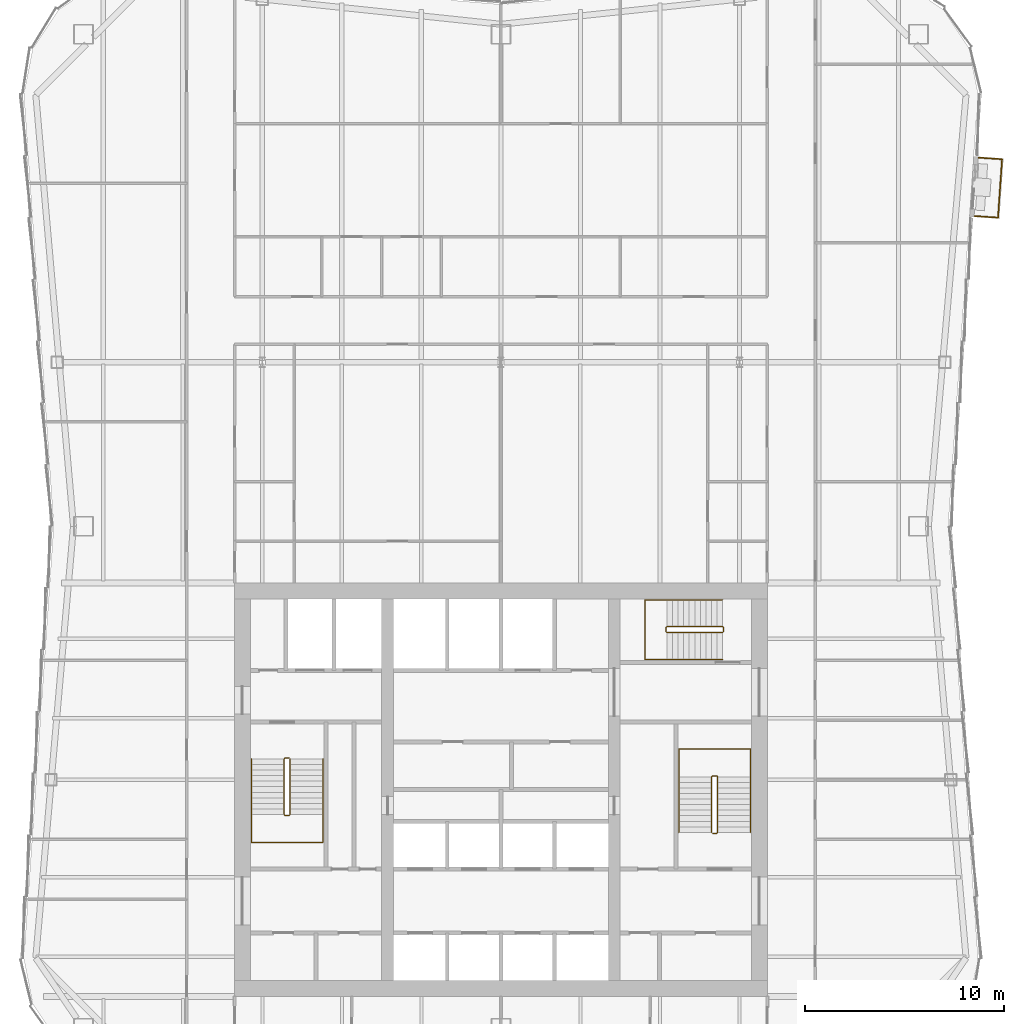
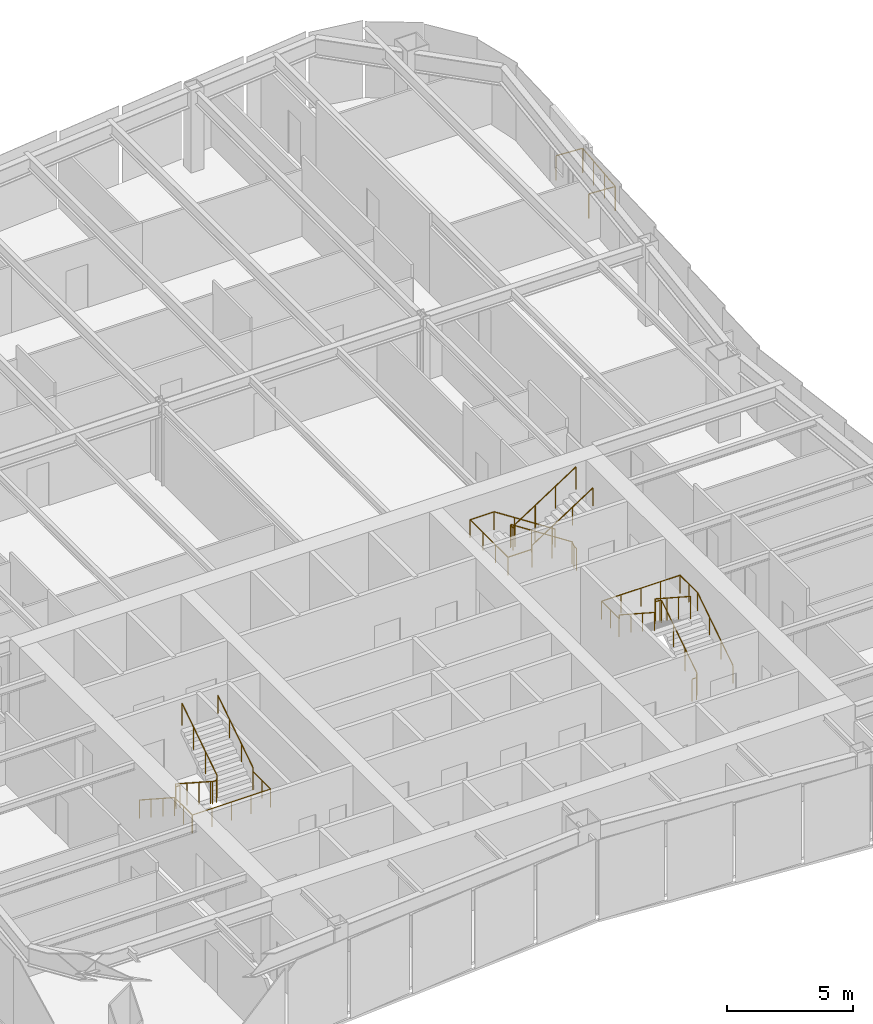
# One storey, part 11 of 12: 7 railings.
"""IFC4 building model written with IfcOpenShell, lengths in metres."""

from ifc_helpers import new_model, si_unit, direction, frame, origin, origin_2d, place, context, subcontext, project, spatial, circle, extrude, material, type_object, element, save


model = new_model("IFC4")

# Units and contexts
model_context = context("Model", 3, precision=1e-05, world=origin(), true_north=direction((0.0, 1.0)))
body_context = subcontext(model_context, "Body", "Model", "MODEL_VIEW")
ifc_project = project(units=[si_unit("LENGTHUNIT", "METRE"), si_unit("AREAUNIT", "SQUARE_METRE"), si_unit("VOLUMEUNIT", "CUBIC_METRE"), si_unit("PLANEANGLEUNIT", "RADIAN"), si_unit("MASSUNIT", "GRAM", prefix="KILO")], contexts=[model_context])

# Site, building, storey
site_placement = place(None, origin())
site = spatial("IfcSite", under=ifc_project, at=site_placement, CompositionType="ELEMENT")
building_placement = place(site_placement, origin())
building = spatial("IfcBuilding", under=site, at=building_placement, Name="Verdant Reach Tower", CompositionType="ELEMENT")
storey_placement = place(building_placement, frame((0.0, 0.0, 242.0)))
storey = spatial("IfcBuildingStorey", under=building, at=storey_placement, Name="L55", CompositionType="ELEMENT", Elevation=242.0)

# Railings
ifc_material_1 = material(Name="Stainless steel", Category="steel")
railing_type_1 = type_object("IfcRailingType", Name="CO-GUARD", PredefinedType="GUARDRAIL", material=ifc_material_1)
railing_1_placement = place(storey_placement, frame((-10.64990234375, 29.60009765625, 0.0)))
element("IfcRailing", 1, at=railing_1_placement, inside=storey, type_object=railing_type_1, Name="L55 ST-1 stair guard 1", PredefinedType="GUARDRAIL", context=body_context, shape_type="SweptSolid", body=[
    extrude(circle(Radius=0.02392578125, at=origin_2d()), frame((0.0, 0.0, 1.076171875), z_axis=(-1.0, 0.0, 0.0), x_axis=(0.0, -1.0, 0.0)), (0.0, 0.0, 1.0), 0.2001953125),
    extrude(circle(Radius=0.02392578125, at=origin_2d()), frame((-0.2001953125, 0.0, 1.076171875), z_axis=(-0.25526617399, -0.256517478764, 0.932222056972), x_axis=(0.708833529934, -0.705375805398, 0.0)), (0.0, 0.0, 1.0), 0.195068359375),
    extrude(circle(Radius=0.02392578125, at=origin_2d()), frame((-0.25, -0.050048828125, 1.2578125), z_axis=(0.0, -0.838705829183, 0.544584733623), x_axis=(1.0, 0.0, 0.0)), (0.0, 0.0, 1.0), 3.338623046875),
    extrude(circle(Radius=0.02392578125, at=origin_2d()), frame((-0.25, -2.85009765625, 3.076171875), z_axis=(0.705375805398, -0.708833529934, 0.0), x_axis=(0.708833529934, 0.705375805398, 0.0)), (0.0, 0.0, 1.0), 0.070556640625),
    extrude(circle(Radius=0.02392578125, at=origin_2d()), frame((-0.2001953125, -2.900146484375, 3.076171875), z_axis=(1.0, 0.0, 0.0), x_axis=(0.0, 1.0, 0.0)), (0.0, 0.0, 1.0), 0.2001953125),
    extrude(circle(Radius=0.02392578125, at=origin_2d()), frame((0.0, -2.900146484375, 3.076171875), z_axis=(0.25526617399, 0.256517478764, 0.932222056972), x_axis=(-0.708833529934, 0.705375805398, 0.0)), (0.0, 0.0, 1.0), 0.195068359375),
    extrude(circle(Radius=0.02392578125, at=origin_2d()), frame((0.0498046875, -2.85009765625, 3.2578125), z_axis=(0.0, 0.838705829183, 0.544584733623), x_axis=(-1.0, 0.0, 0.0)), (0.0, 0.0, 1.0), 3.338623046875),
    extrude(circle(Radius=0.02099609375, at=origin_2d()), origin(), (0.0, 0.0, 1.0), 1.052001953125),
    extrude(circle(Radius=0.02099609375, at=origin_2d()), frame((-0.2001953125, 0.0, 0.0)), (0.0, 0.0, 1.0), 1.052001953125),
    extrude(circle(Radius=0.02099609375, at=origin_2d()), frame((-0.25, -0.050048828125, 0.181884765625)), (0.0, 0.0, 1.0), 1.052001953125),
    extrude(circle(Radius=0.02099609375, at=origin_2d()), frame((-0.25, -0.9833984375, 0.787841796875)), (0.0, 0.0, 1.0), 1.052001953125),
    extrude(circle(Radius=0.02099609375, at=origin_2d()), frame((-0.25, -1.916748046875, 1.39404296875)), (0.0, 0.0, 1.0), 1.052001953125),
    extrude(circle(Radius=0.02099609375, at=origin_2d()), frame((-0.25, -2.85009765625, 2.0)), (0.0, 0.0, 1.0), 1.052001953125),
    extrude(circle(Radius=0.02099609375, at=origin_2d()), frame((-0.2001953125, -2.900146484375, 2.0)), (0.0, 0.0, 1.0), 1.052001953125),
    extrude(circle(Radius=0.02099609375, at=origin_2d()), frame((0.0, -2.900146484375, 2.0)), (0.0, 0.0, 1.0), 1.052001953125),
    extrude(circle(Radius=0.02099609375, at=origin_2d()), frame((0.0498046875, -2.85009765625, 2.181884765625)), (0.0, 0.0, 1.0), 1.052001953125),
    extrude(circle(Radius=0.02099609375, at=origin_2d()), frame((0.0498046875, -1.916748046875, 2.787841796875)), (0.0, 0.0, 1.0), 1.052001953125),
    extrude(circle(Radius=0.02099609375, at=origin_2d()), frame((0.0498046875, -0.9833984375, 3.39404296875)), (0.0, 0.0, 1.0), 1.052001953125),
    extrude(circle(Radius=0.02099609375, at=origin_2d()), frame((0.0498046875, -0.050048828125, 4.0)), (0.0, 0.0, 1.0), 1.052001953125),
])
railing_2_placement = place(storey_placement, frame((10.64990234375, 25.800048828125, 0.0)))
element("IfcRailing", 2, at=railing_2_placement, inside=storey, type_object=railing_type_1, Name="L55 ST-2 stair guard 1", PredefinedType="GUARDRAIL", context=body_context, shape_type="SweptSolid", body=[
    extrude(circle(Radius=0.02392578125, at=origin_2d()), frame((0.0, 0.0, 1.076171875), z_axis=(1.0, 0.0, 0.0), x_axis=(0.0, 1.0, 0.0)), (0.0, 0.0, 1.0), 0.2001953125),
    extrude(circle(Radius=0.02392578125, at=origin_2d()), frame((0.2001953125, 0.0, 1.076171875), z_axis=(0.25526617399, 0.256517478764, 0.932222056972), x_axis=(-0.708833529934, 0.705375805398, 0.0)), (0.0, 0.0, 1.0), 0.195068359375),
    extrude(circle(Radius=0.02392578125, at=origin_2d()), frame((0.25, 0.050048828125, 1.2578125), z_axis=(0.0, 0.83868413941, 0.544618136222), x_axis=(-1.0, 0.0, 0.0)), (0.0, 0.0, 1.0), 3.33837890625),
    extrude(circle(Radius=0.02392578125, at=origin_2d()), frame((0.25, 2.849853515625, 3.076171875), z_axis=(-0.705375805398, 0.708833529934, 0.0), x_axis=(-0.708833529934, -0.705375805398, 0.0)), (0.0, 0.0, 1.0), 0.070556640625),
    extrude(circle(Radius=0.02392578125, at=origin_2d()), frame((0.2001953125, 2.89990234375, 3.076171875), z_axis=(-1.0, 0.0, 0.0), x_axis=(0.0, -1.0, 0.0)), (0.0, 0.0, 1.0), 0.2001953125),
    extrude(circle(Radius=0.02392578125, at=origin_2d()), frame((0.0, 2.89990234375, 3.076171875), z_axis=(-0.25526617399, -0.256517478764, 0.932222056972), x_axis=(0.708833529934, -0.705375805398, 0.0)), (0.0, 0.0, 1.0), 0.195068359375),
    extrude(circle(Radius=0.02392578125, at=origin_2d()), frame((-0.0498046875, 2.849853515625, 3.2578125), z_axis=(0.0, -0.83868413941, 0.544618136222), x_axis=(1.0, 0.0, 0.0)), (0.0, 0.0, 1.0), 3.33837890625),
    extrude(circle(Radius=0.02099609375, at=origin_2d()), origin(), (0.0, 0.0, 1.0), 1.052001953125),
    extrude(circle(Radius=0.02099609375, at=origin_2d()), frame((0.2001953125, 0.0, 0.0)), (0.0, 0.0, 1.0), 1.052001953125),
    extrude(circle(Radius=0.02099609375, at=origin_2d()), frame((0.25, 0.050048828125, 0.181884765625)), (0.0, 0.0, 1.0), 1.052001953125),
    extrude(circle(Radius=0.02099609375, at=origin_2d()), frame((0.25, 0.9833984375, 0.787841796875)), (0.0, 0.0, 1.0), 1.052001953125),
    extrude(circle(Radius=0.02099609375, at=origin_2d()), frame((0.25, 1.91650390625, 1.39404296875)), (0.0, 0.0, 1.0), 1.052001953125),
    extrude(circle(Radius=0.02099609375, at=origin_2d()), frame((0.25, 2.849853515625, 2.0)), (0.0, 0.0, 1.0), 1.052001953125),
    extrude(circle(Radius=0.02099609375, at=origin_2d()), frame((0.2001953125, 2.89990234375, 2.0)), (0.0, 0.0, 1.0), 1.052001953125),
    extrude(circle(Radius=0.02099609375, at=origin_2d()), frame((0.0, 2.89990234375, 2.0)), (0.0, 0.0, 1.0), 1.052001953125),
    extrude(circle(Radius=0.02099609375, at=origin_2d()), frame((-0.0498046875, 2.849853515625, 2.181884765625)), (0.0, 0.0, 1.0), 1.052001953125),
    extrude(circle(Radius=0.02099609375, at=origin_2d()), frame((-0.0498046875, 1.91650390625, 2.787841796875)), (0.0, 0.0, 1.0), 1.052001953125),
    extrude(circle(Radius=0.02099609375, at=origin_2d()), frame((-0.0498046875, 0.9833984375, 3.39404296875)), (0.0, 0.0, 1.0), 1.052001953125),
    extrude(circle(Radius=0.02099609375, at=origin_2d()), frame((-0.0498046875, 0.050048828125, 4.0)), (0.0, 0.0, 1.0), 1.052001953125),
])
railing_3_placement = place(storey_placement, frame((11.199951171875, 35.949951171875, 0.0)))
element("IfcRailing", 3, at=railing_3_placement, inside=storey, type_object=railing_type_1, Name="L55 ST-3 stair guard 1", PredefinedType="GUARDRAIL", context=body_context, shape_type="SweptSolid", body=[
    extrude(circle(Radius=0.02392578125, at=origin_2d()), frame((0.0, 0.0, 1.076171875), z_axis=(0.0, 1.0, 0.0), x_axis=(-1.0, 0.0, 0.0)), (0.0, 0.0, 1.0), 0.199951171875),
    extrude(circle(Radius=0.02392578125, at=origin_2d()), frame((0.0, 0.199951171875, 1.076171875), z_axis=(-0.256435381639, 0.256435381639, 0.931923704005), x_axis=(-0.707106781187, -0.707106781187, 0.0)), (0.0, 0.0, 1.0), 0.195068359375),
    extrude(circle(Radius=0.02392578125, at=origin_2d()), frame((-0.050048828125, 0.25, 1.2578125), z_axis=(-0.83868413941, 0.0, 0.544618136222), x_axis=(0.0, -1.0, 0.0)), (0.0, 0.0, 1.0), 3.33837890625),
    extrude(circle(Radius=0.02392578125, at=origin_2d()), frame((-2.849853515625, 0.25, 3.076171875), z_axis=(-0.707106781187, -0.707106781187, 0.0), x_axis=(0.707106781187, -0.707106781187, 0.0)), (0.0, 0.0, 1.0), 0.07080078125),
    extrude(circle(Radius=0.02392578125, at=origin_2d()), frame((-2.89990234375, 0.199951171875, 3.076171875), z_axis=(0.0, -1.0, 0.0), x_axis=(1.0, 0.0, 0.0)), (0.0, 0.0, 1.0), 0.199951171875),
    extrude(circle(Radius=0.02392578125, at=origin_2d()), frame((-2.89990234375, 0.0, 3.076171875), z_axis=(0.256435381639, -0.256435381639, 0.931923704005), x_axis=(0.707106781187, 0.707106781187, 0.0)), (0.0, 0.0, 1.0), 0.195068359375),
    extrude(circle(Radius=0.02392578125, at=origin_2d()), frame((-2.849853515625, -0.050048828125, 3.2578125), z_axis=(0.83868413941, 0.0, 0.544618136222), x_axis=(0.0, 1.0, 0.0)), (0.0, 0.0, 1.0), 3.33837890625),
    extrude(circle(Radius=0.02099609375, at=origin_2d()), origin(), (0.0, 0.0, 1.0), 1.052001953125),
    extrude(circle(Radius=0.02099609375, at=origin_2d()), frame((0.0, 0.199951171875, 0.0)), (0.0, 0.0, 1.0), 1.052001953125),
    extrude(circle(Radius=0.02099609375, at=origin_2d()), frame((-0.050048828125, 0.25, 0.181884765625)), (0.0, 0.0, 1.0), 1.052001953125),
    extrude(circle(Radius=0.02099609375, at=origin_2d()), frame((-0.9833984375, 0.25, 0.787841796875)), (0.0, 0.0, 1.0), 1.052001953125),
    extrude(circle(Radius=0.02099609375, at=origin_2d()), frame((-1.91650390625, 0.25, 1.39404296875)), (0.0, 0.0, 1.0), 1.052001953125),
    extrude(circle(Radius=0.02099609375, at=origin_2d()), frame((-2.849853515625, 0.25, 2.0)), (0.0, 0.0, 1.0), 1.052001953125),
    extrude(circle(Radius=0.02099609375, at=origin_2d()), frame((-2.89990234375, 0.199951171875, 2.0)), (0.0, 0.0, 1.0), 1.052001953125),
    extrude(circle(Radius=0.02099609375, at=origin_2d()), frame((-2.89990234375, 0.0, 2.0)), (0.0, 0.0, 1.0), 1.052001953125),
    extrude(circle(Radius=0.02099609375, at=origin_2d()), frame((-2.849853515625, -0.050048828125, 2.181884765625)), (0.0, 0.0, 1.0), 1.052001953125),
    extrude(circle(Radius=0.02099609375, at=origin_2d()), frame((-1.91650390625, -0.050048828125, 2.787841796875)), (0.0, 0.0, 1.0), 1.052001953125),
    extrude(circle(Radius=0.02099609375, at=origin_2d()), frame((-0.9833984375, -0.050048828125, 3.39404296875)), (0.0, 0.0, 1.0), 1.052001953125),
    extrude(circle(Radius=0.02099609375, at=origin_2d()), frame((-0.050048828125, -0.050048828125, 4.0)), (0.0, 0.0, 1.0), 1.052001953125),
])
railing_type_2 = type_object("IfcRailingType", Name="CO-HANDRAIL", PredefinedType="HANDRAIL", material=ifc_material_1)
railing_4_placement = place(storey_placement, frame((-12.550048828125, 29.550048828125, 0.181884765625)))
element("IfcRailing", 4, at=railing_4_placement, inside=storey, type_object=railing_type_2, Name="L55 ST-1 stair handrail 1", PredefinedType="HANDRAIL", context=body_context, shape_type="SweptSolid", body=[
    extrude(circle(Radius=0.02392578125, at=origin_2d()), frame((0.0, 0.0, 0.8759765625), z_axis=(0.0, -0.838705829183, 0.544584733623), x_axis=(1.0, 0.0, 0.0)), (0.0, 0.0, 1.0), 3.338623046875),
    extrude(circle(Radius=0.02392578125, at=origin_2d()), frame((0.0, -2.800048828125, 2.69384765625), z_axis=(0.0, -1.0, 0.0), x_axis=(1.0, 0.0, 0.0)), (0.0, 0.0, 1.0), 1.39990234375),
    extrude(circle(Radius=0.02392578125, at=origin_2d()), frame((0.0, -4.199951171875, 2.69384765625), z_axis=(1.0, 0.0, 0.0), x_axis=(0.0, 1.0, 0.0)), (0.0, 0.0, 1.0), 3.60009765625),
    extrude(circle(Radius=0.02392578125, at=origin_2d()), frame((3.60009765625, -4.199951171875, 2.69384765625), z_axis=(0.0, 1.0, 0.0), x_axis=(-1.0, 0.0, 0.0)), (0.0, 0.0, 1.0), 1.39990234375),
    extrude(circle(Radius=0.02392578125, at=origin_2d()), frame((3.60009765625, -2.800048828125, 2.69384765625), z_axis=(0.0, 0.0, 1.0), x_axis=(1.0, 0.0, 0.0)), (0.0, 0.0, 1.0), 0.181884765625),
    extrude(circle(Radius=0.02392578125, at=origin_2d()), frame((3.60009765625, -2.800048828125, 2.8759765625), z_axis=(0.0, 0.838705829183, 0.544584733623), x_axis=(-1.0, 0.0, 0.0)), (0.0, 0.0, 1.0), 3.338623046875),
    extrude(circle(Radius=0.02099609375, at=origin_2d()), origin(), (0.0, 0.0, 1.0), 0.851806640625),
    extrude(circle(Radius=0.02099609375, at=origin_2d()), frame((0.0, -0.933349609375, 0.60595703125)), (0.0, 0.0, 1.0), 0.851806640625),
    extrude(circle(Radius=0.02099609375, at=origin_2d()), frame((0.0, -1.86669921875, 1.212158203125)), (0.0, 0.0, 1.0), 0.851806640625),
    extrude(circle(Radius=0.02099609375, at=origin_2d()), frame((0.0, -2.800048828125, 1.818115234375)), (0.0, 0.0, 1.0), 0.851806640625),
    extrude(circle(Radius=0.02099609375, at=origin_2d()), frame((0.0, -3.5, 1.818115234375)), (0.0, 0.0, 1.0), 0.851806640625),
    extrude(circle(Radius=0.02099609375, at=origin_2d()), frame((0.0, -4.199951171875, 1.818115234375)), (0.0, 0.0, 1.0), 0.851806640625),
    extrude(circle(Radius=0.02099609375, at=origin_2d()), frame((0.89990234375, -4.199951171875, 1.818115234375)), (0.0, 0.0, 1.0), 0.851806640625),
    extrude(circle(Radius=0.02099609375, at=origin_2d()), frame((1.800048828125, -4.199951171875, 1.818115234375)), (0.0, 0.0, 1.0), 0.851806640625),
    extrude(circle(Radius=0.02099609375, at=origin_2d()), frame((2.7001953125, -4.199951171875, 1.818115234375)), (0.0, 0.0, 1.0), 0.851806640625),
    extrude(circle(Radius=0.02099609375, at=origin_2d()), frame((3.60009765625, -4.199951171875, 1.818115234375)), (0.0, 0.0, 1.0), 0.851806640625),
    extrude(circle(Radius=0.02099609375, at=origin_2d()), frame((3.60009765625, -3.5, 1.818115234375)), (0.0, 0.0, 1.0), 0.851806640625),
    extrude(circle(Radius=0.02099609375, at=origin_2d()), frame((3.60009765625, -2.800048828125, 1.818115234375)), (0.0, 0.0, 1.0), 0.851806640625),
    extrude(circle(Radius=0.02099609375, at=origin_2d()), frame((3.60009765625, -2.800048828125, 2.0)), (0.0, 0.0, 1.0), 0.851806640625),
    extrude(circle(Radius=0.02099609375, at=origin_2d()), frame((3.60009765625, -1.86669921875, 2.60595703125)), (0.0, 0.0, 1.0), 0.851806640625),
    extrude(circle(Radius=0.02099609375, at=origin_2d()), frame((3.60009765625, -0.933349609375, 3.212158203125)), (0.0, 0.0, 1.0), 0.851806640625),
    extrude(circle(Radius=0.02099609375, at=origin_2d()), frame((3.60009765625, 0.0, 3.818115234375)), (0.0, 0.0, 1.0), 0.851806640625),
])
railing_5_placement = place(storey_placement, frame((12.550048828125, 25.85009765625, 0.181884765625)))
element("IfcRailing", 5, at=railing_5_placement, inside=storey, type_object=railing_type_2, Name="L55 ST-2 stair handrail 1", PredefinedType="HANDRAIL", context=body_context, shape_type="SweptSolid", body=[
    extrude(circle(Radius=0.02392578125, at=origin_2d()), frame((0.0, 0.0, 0.8759765625), z_axis=(0.0, 0.83868413941, 0.544618136222), x_axis=(-1.0, 0.0, 0.0)), (0.0, 0.0, 1.0), 3.33837890625),
    extrude(circle(Radius=0.02392578125, at=origin_2d()), frame((0.0, 2.7998046875, 2.69384765625), z_axis=(0.0, 1.0, 0.0), x_axis=(-1.0, 0.0, 0.0)), (0.0, 0.0, 1.0), 1.400146484375),
    extrude(circle(Radius=0.02392578125, at=origin_2d()), frame((0.0, 4.199951171875, 2.69384765625), z_axis=(-1.0, 0.0, 0.0), x_axis=(0.0, -1.0, 0.0)), (0.0, 0.0, 1.0), 3.60009765625),
    extrude(circle(Radius=0.02392578125, at=origin_2d()), frame((-3.60009765625, 4.199951171875, 2.69384765625), z_axis=(0.0, -1.0, 0.0), x_axis=(1.0, 0.0, 0.0)), (0.0, 0.0, 1.0), 1.400146484375),
    extrude(circle(Radius=0.02392578125, at=origin_2d()), frame((-3.60009765625, 2.7998046875, 2.69384765625), z_axis=(0.0, 0.0, 1.0), x_axis=(1.0, 0.0, 0.0)), (0.0, 0.0, 1.0), 0.181884765625),
    extrude(circle(Radius=0.02392578125, at=origin_2d()), frame((-3.60009765625, 2.7998046875, 2.8759765625), z_axis=(0.0, -0.83868413941, 0.544618136222), x_axis=(1.0, 0.0, 0.0)), (0.0, 0.0, 1.0), 3.33837890625),
    extrude(circle(Radius=0.02099609375, at=origin_2d()), origin(), (0.0, 0.0, 1.0), 0.851806640625),
    extrude(circle(Radius=0.02099609375, at=origin_2d()), frame((0.0, 0.933349609375, 0.60595703125)), (0.0, 0.0, 1.0), 0.851806640625),
    extrude(circle(Radius=0.02099609375, at=origin_2d()), frame((0.0, 1.866455078125, 1.212158203125)), (0.0, 0.0, 1.0), 0.851806640625),
    extrude(circle(Radius=0.02099609375, at=origin_2d()), frame((0.0, 2.7998046875, 1.818115234375)), (0.0, 0.0, 1.0), 0.851806640625),
    extrude(circle(Radius=0.02099609375, at=origin_2d()), frame((0.0, 3.5, 1.818115234375)), (0.0, 0.0, 1.0), 0.851806640625),
    extrude(circle(Radius=0.02099609375, at=origin_2d()), frame((0.0, 4.199951171875, 1.818115234375)), (0.0, 0.0, 1.0), 0.851806640625),
    extrude(circle(Radius=0.02099609375, at=origin_2d()), frame((-0.89990234375, 4.199951171875, 1.818115234375)), (0.0, 0.0, 1.0), 0.851806640625),
    extrude(circle(Radius=0.02099609375, at=origin_2d()), frame((-1.800048828125, 4.199951171875, 1.818115234375)), (0.0, 0.0, 1.0), 0.851806640625),
    extrude(circle(Radius=0.02099609375, at=origin_2d()), frame((-2.7001953125, 4.199951171875, 1.818115234375)), (0.0, 0.0, 1.0), 0.851806640625),
    extrude(circle(Radius=0.02099609375, at=origin_2d()), frame((-3.60009765625, 4.199951171875, 1.818115234375)), (0.0, 0.0, 1.0), 0.851806640625),
    extrude(circle(Radius=0.02099609375, at=origin_2d()), frame((-3.60009765625, 3.5, 1.818115234375)), (0.0, 0.0, 1.0), 0.851806640625),
    extrude(circle(Radius=0.02099609375, at=origin_2d()), frame((-3.60009765625, 2.7998046875, 1.818115234375)), (0.0, 0.0, 1.0), 0.851806640625),
    extrude(circle(Radius=0.02099609375, at=origin_2d()), frame((-3.60009765625, 2.7998046875, 2.0)), (0.0, 0.0, 1.0), 0.851806640625),
    extrude(circle(Radius=0.02099609375, at=origin_2d()), frame((-3.60009765625, 1.866455078125, 2.60595703125)), (0.0, 0.0, 1.0), 0.851806640625),
    extrude(circle(Radius=0.02099609375, at=origin_2d()), frame((-3.60009765625, 0.933349609375, 3.212158203125)), (0.0, 0.0, 1.0), 0.851806640625),
    extrude(circle(Radius=0.02099609375, at=origin_2d()), frame((-3.60009765625, 0.0, 3.818115234375)), (0.0, 0.0, 1.0), 0.851806640625),
])
railing_6_placement = place(storey_placement, frame((11.14990234375, 37.550048828125, 0.181884765625)))
element("IfcRailing", 6, at=railing_6_placement, inside=storey, type_object=railing_type_2, Name="L55 ST-3 stair handrail 1", PredefinedType="HANDRAIL", context=body_context, shape_type="SweptSolid", body=[
    extrude(circle(Radius=0.02392578125, at=origin_2d()), frame((0.0, 0.0, 0.8759765625), z_axis=(-0.83868413941, 0.0, 0.544618136222), x_axis=(0.0, -1.0, 0.0)), (0.0, 0.0, 1.0), 3.33837890625),
    extrude(circle(Radius=0.02392578125, at=origin_2d()), frame((-2.7998046875, 0.0, 2.69384765625), z_axis=(-1.0, 0.0, 0.0), x_axis=(0.0, -1.0, 0.0)), (0.0, 0.0, 1.0), 1.10009765625),
    extrude(circle(Radius=0.02392578125, at=origin_2d()), frame((-3.89990234375, 0.0, 2.69384765625), z_axis=(0.0, -1.0, 0.0), x_axis=(1.0, 0.0, 0.0)), (0.0, 0.0, 1.0), 3.0),
    extrude(circle(Radius=0.02392578125, at=origin_2d()), frame((-3.89990234375, -3.0, 2.69384765625), z_axis=(1.0, 0.0, 0.0), x_axis=(0.0, 1.0, 0.0)), (0.0, 0.0, 1.0), 1.10009765625),
    extrude(circle(Radius=0.02392578125, at=origin_2d()), frame((-2.7998046875, -3.0, 2.69384765625), z_axis=(0.0, 0.0, 1.0), x_axis=(1.0, 0.0, 0.0)), (0.0, 0.0, 1.0), 0.181884765625),
    extrude(circle(Radius=0.02392578125, at=origin_2d()), frame((-2.7998046875, -3.0, 2.8759765625), z_axis=(0.83868413941, 0.0, 0.544618136222), x_axis=(0.0, 1.0, 0.0)), (0.0, 0.0, 1.0), 3.33837890625),
    extrude(circle(Radius=0.02099609375, at=origin_2d()), origin(), (0.0, 0.0, 1.0), 0.851806640625),
    extrude(circle(Radius=0.02099609375, at=origin_2d()), frame((-0.933349609375, 0.0, 0.60595703125)), (0.0, 0.0, 1.0), 0.851806640625),
    extrude(circle(Radius=0.02099609375, at=origin_2d()), frame((-1.866455078125, 0.0, 1.212158203125)), (0.0, 0.0, 1.0), 0.851806640625),
    extrude(circle(Radius=0.02099609375, at=origin_2d()), frame((-2.7998046875, 0.0, 1.818115234375)), (0.0, 0.0, 1.0), 0.851806640625),
    extrude(circle(Radius=0.02099609375, at=origin_2d()), frame((-3.89990234375, 0.0, 1.818115234375)), (0.0, 0.0, 1.0), 0.851806640625),
    extrude(circle(Radius=0.02099609375, at=origin_2d()), frame((-3.89990234375, -1.0, 1.818115234375)), (0.0, 0.0, 1.0), 0.851806640625),
    extrude(circle(Radius=0.02099609375, at=origin_2d()), frame((-3.89990234375, -2.0, 1.818115234375)), (0.0, 0.0, 1.0), 0.851806640625),
    extrude(circle(Radius=0.02099609375, at=origin_2d()), frame((-3.89990234375, -3.0, 1.818115234375)), (0.0, 0.0, 1.0), 0.851806640625),
    extrude(circle(Radius=0.02099609375, at=origin_2d()), frame((-2.7998046875, -3.0, 1.818115234375)), (0.0, 0.0, 1.0), 0.851806640625),
    extrude(circle(Radius=0.02099609375, at=origin_2d()), frame((-2.7998046875, -3.0, 2.0)), (0.0, 0.0, 1.0), 0.851806640625),
    extrude(circle(Radius=0.02099609375, at=origin_2d()), frame((-1.866455078125, -3.0, 2.60595703125)), (0.0, 0.0, 1.0), 0.851806640625),
    extrude(circle(Radius=0.02099609375, at=origin_2d()), frame((-0.933349609375, -3.0, 3.212158203125)), (0.0, 0.0, 1.0), 0.851806640625),
    extrude(circle(Radius=0.02099609375, at=origin_2d()), frame((0.0, -3.0, 3.818115234375)), (0.0, 0.0, 1.0), 0.851806640625),
])
ifc_material_2 = material(Name="Stainless steel and laminated glass balustrade", Category="steel")
railing_type_3 = type_object("IfcRailingType", Name="EN-RAILING BALCONY", PredefinedType="GUARDRAIL", material=ifc_material_2)
railing_7_placement = place(storey_placement, frame((23.83056640625, 56.85205078125, 0.0)))
element("IfcRailing", 7, at=railing_7_placement, inside=storey, type_object=railing_type_3, Name="Balcony guard 1, L55", PredefinedType="GUARDRAIL", context=body_context, shape_type="SweptSolid", body=[
    extrude(circle(Radius=0.02490234375, at=origin_2d()), frame((0.0, 0.0, 1.1748046875), z_axis=(0.997636711247, -0.068709478032, 0.0), x_axis=(0.068709478032, 0.997636711247, 0.0)), (0.0, 0.0, 1.0), 1.176025390625),
    extrude(circle(Radius=0.02490234375, at=origin_2d()), frame((1.17333984375, -0.080810546875, 1.1748046875), z_axis=(0.068773654488, 0.997632289197, 0.0), x_axis=(-0.997632289197, 0.068773654488, 0.0)), (0.0, 0.0, 1.0), 2.946533203125),
    extrude(circle(Radius=0.02490234375, at=origin_2d()), frame((1.3759765625, 2.858642578125, 1.1748046875), z_axis=(-0.997635730952, 0.068723710082, 0.0), x_axis=(-0.068723710082, -0.997635730952, 0.0)), (0.0, 0.0, 1.0), 1.17578125),
    extrude(circle(Radius=0.02490234375, at=origin_2d()), origin(), (0.0, 0.0, 1.0), 1.14990234375),
    extrude(circle(Radius=0.02490234375, at=origin_2d()), frame((1.17333984375, -0.080810546875, 0.0)), (0.0, 0.0, 1.0), 1.14990234375),
    extrude(circle(Radius=0.02490234375, at=origin_2d()), frame((1.240966796875, 0.89892578125, 0.0)), (0.0, 0.0, 1.0), 1.14990234375),
    extrude(circle(Radius=0.02490234375, at=origin_2d()), frame((1.308349609375, 1.87890625, 0.0)), (0.0, 0.0, 1.0), 1.14990234375),
    extrude(circle(Radius=0.02490234375, at=origin_2d()), frame((1.3759765625, 2.858642578125, 0.0)), (0.0, 0.0, 1.0), 1.14990234375),
    extrude(circle(Radius=0.02490234375, at=origin_2d()), frame((0.202880859375, 2.939453125, 0.0)), (0.0, 0.0, 1.0), 1.14990234375),
])

save(model, "model.ifc")
